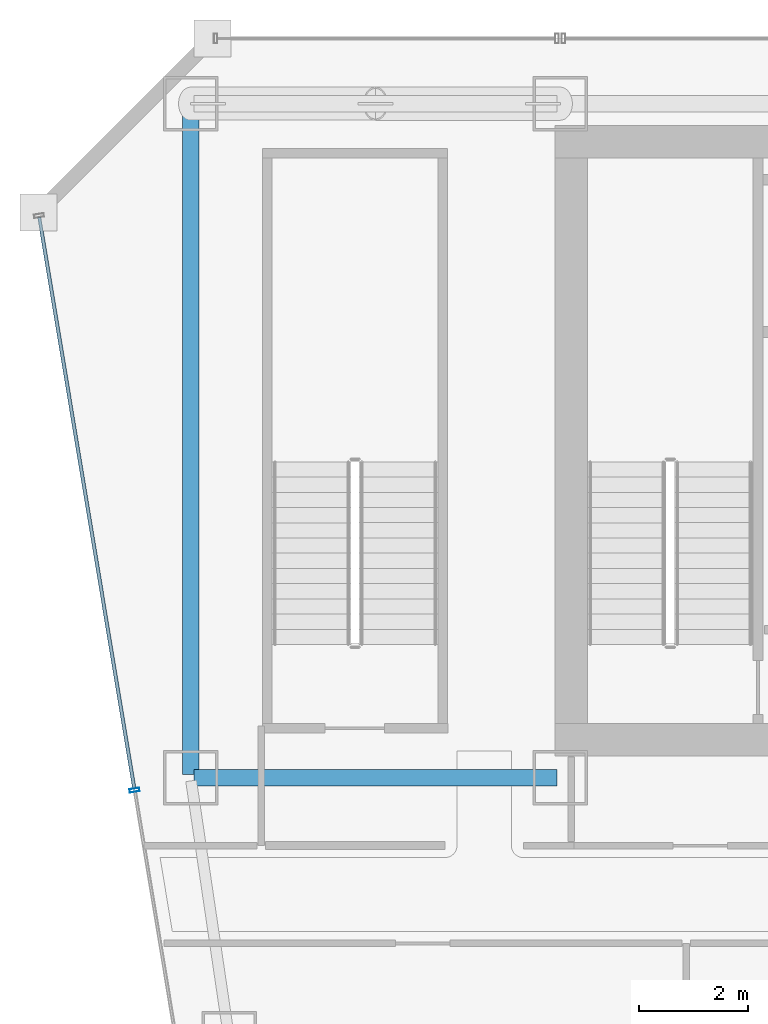
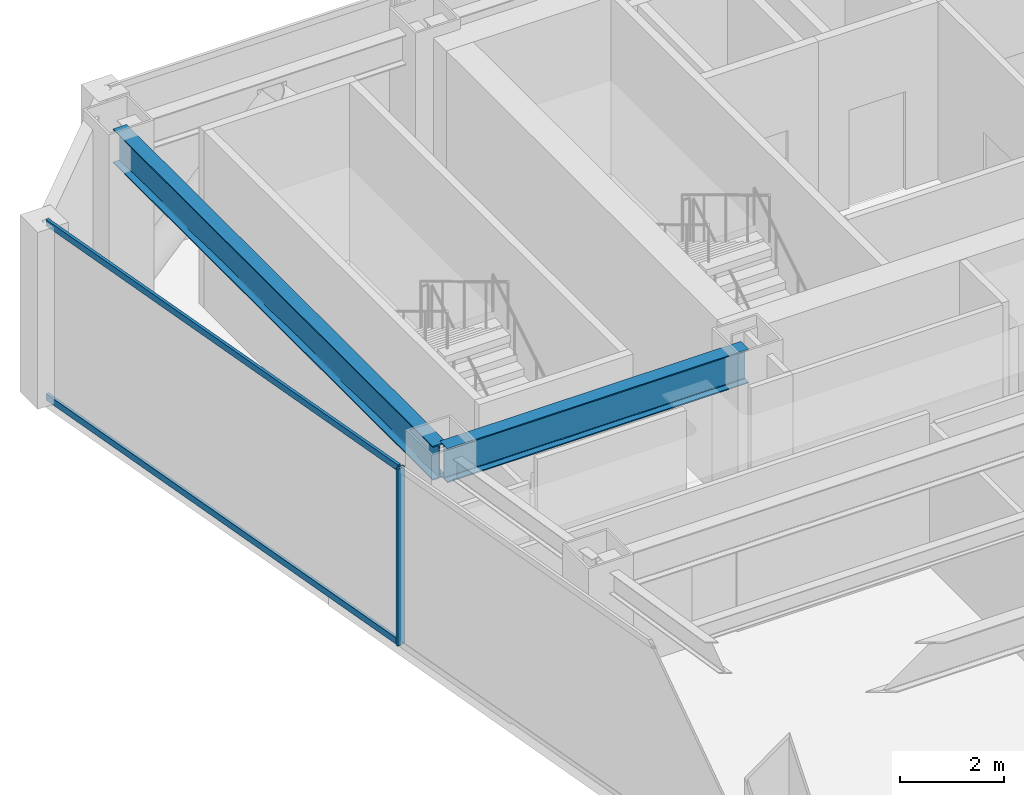
# One storey, part 15 of 35: 3 members, 2 beams, 1 element without a shape of its own.
"""IFC4 building model written with IfcOpenShell, lengths in metres."""

from ifc_helpers import new_model, si_unit, direction, frame, origin, origin_2d, place, context, subcontext, project, spatial, hollow_rectangle, i_section, extrude, material, material_profile, profile_set, type_object, element, aggregate, save


model = new_model("IFC4")

# Units and contexts
model_context = context("Model", 3, precision=1e-05, world=origin(), true_north=direction((0.0, 1.0)))
body_context = subcontext(model_context, "Body", "Model", "MODEL_VIEW")
ifc_project = project(units=[si_unit("LENGTHUNIT", "METRE"), si_unit("AREAUNIT", "SQUARE_METRE"), si_unit("VOLUMEUNIT", "CUBIC_METRE"), si_unit("PLANEANGLEUNIT", "RADIAN"), si_unit("MASSUNIT", "GRAM", prefix="KILO")], contexts=[model_context])

# Site, building, storey
site_placement = place(None, origin())
site = spatial("IfcSite", under=ifc_project, at=site_placement, CompositionType="ELEMENT")
building_placement = place(site_placement, origin())
building = spatial("IfcBuilding", under=site, at=building_placement, Name="Saevonmaru Cultural Tower", CompositionType="ELEMENT")
storey_placement = place(building_placement, frame((0.0, 0.0, 101.60009765625)))
storey = spatial("IfcBuildingStorey", under=building, at=storey_placement, Name="L21", CompositionType="ELEMENT", Elevation=101.60009765625)

# Beams
ifc_material_1 = material(Name="Steel SM420", Category="steel")
ifc_material_profile_1 = material_profile(ifc_material_1, i_section(OverallWidth=0.300048828125, OverallDepth=0.800048828125, WebThickness=0.013916015625, FlangeThickness=0.02587890625, FilletRadius=0.028076171875, at=origin_2d()), Name="H-800x300x14x26")
ifc_profile_set_1 = profile_set([ifc_material_profile_1], Name="Steel SM420")
beam_type = type_object("IfcBeamType", Name="BM-G-H800", PredefinedType="BEAM", material=ifc_profile_set_1)
beam_1_placement = place(storey_placement, frame((6.860107421875, 42.39990234375, 3.75), z_axis=(1.0, 0.0, 0.0), x_axis=(0.0, 1.0, 0.0)))
element("IfcBeam", 1, at=beam_1_placement, inside=storey, type_object=beam_type, Name="L21 Core South Girder 1", PredefinedType="BEAM", context=body_context, shape_type="SweptSolid", body=[
    extrude(i_section(OverallWidth=0.300048828125, OverallDepth=0.800048828125, WebThickness=0.013916015625, FlangeThickness=0.02587890625, FilletRadius=0.028076171875, at=origin_2d()), origin(), (0.0, 0.0, 1.0), 6.679931640625),
])
beam_2_placement = place(storey_placement, frame((6.800048828125, 54.739990234375, 3.75), z_axis=(0.0, -1.0, 0.0), x_axis=(1.0, 0.0, 0.0)))
element("IfcBeam", 2, at=beam_2_placement, inside=storey, type_object=beam_type, Name="L21 Spine Transverse Girder W", PredefinedType="BEAM", context=body_context, shape_type="SweptSolid", body=[
    extrude(i_section(OverallWidth=0.300048828125, OverallDepth=0.800048828125, WebThickness=0.013916015625, FlangeThickness=0.02587890625, FilletRadius=0.028076171875, at=origin_2d()), origin(), (0.0, 0.0, 1.0), 12.280029296875),
])

# Curtain wall, members
ifc_material_2 = material(Name="Satin Bronze Anodised Aluminium", Category="aluminium")
curtain_wall_type = type_object("IfcCurtainWallType", Name="CW-TYP-A", PredefinedType="NOTDEFINED", material=ifc_material_2)
curtain_wall_placement = place(storey_placement, origin())
curtain_wall = element("IfcCurtainWall", 3, at=curtain_wall_placement, inside=storey, type_object=curtain_wall_type, Name="L21 Unitised Curtain Wall E12", PredefinedType="NOTDEFINED")
ifc_material_profile_2 = material_profile(ifc_material_2, hollow_rectangle(XDim=0.06494140625, YDim=0.179931640625, WallThickness=0.00390625, at=origin_2d()), Name="ALU-MULL-180x65x4")
ifc_profile_set_2 = profile_set([ifc_material_profile_2], Name="Satin Bronze Anodised Aluminium")
member_type_1 = type_object("IfcMemberType", Name="ML-CW-180x65", PredefinedType="MULLION", material=ifc_profile_set_2)
member_1_placement = place(storey_placement, frame((5.76708984375, 42.17041015625, 0.0), z_axis=(0.0, 0.0, 1.0), x_axis=(0.163998702345, -0.986460554523, 0.0)))
member_1 = element("IfcMember", 4, at=member_1_placement, type_object=member_type_1, Name="CW-TW-L21-E12 mullion 2", PredefinedType="MULLION", context=body_context, shape_type="SweptSolid", body=[
    extrude(hollow_rectangle(XDim=0.06494140625, YDim=0.179931640625, WallThickness=0.00390625, at=origin_2d()), origin(), (0.0, 0.0, 1.0), 4.14990234375),
])
ifc_material_profile_3 = material_profile(ifc_material_2, hollow_rectangle(XDim=0.06494140625, YDim=0.14990234375, WallThickness=0.00390625, at=origin_2d()), Name="ALU-TRAN-150x65x4")
ifc_profile_set_3 = profile_set([ifc_material_profile_3], Name="Satin Bronze Anodised Aluminium")
member_type_2 = type_object("IfcMemberType", Name="TR-CW-150x65", PredefinedType="USERDEFINED", material=ifc_profile_set_3)
member_2_placement = place(storey_placement, frame((4.01513671875, 52.708740234375, 0.032470703125), z_axis=(0.163990079074, -0.9864619881, 0.0), x_axis=(0.9864619881, 0.163990079074, 0.0)))
member_2 = element("IfcMember", 5, at=member_2_placement, type_object=member_type_2, Name="CW-TW-L21-E12 transom 1.1", ObjectType="TRANSOM", PredefinedType="USERDEFINED", context=body_context, shape_type="SweptSolid", body=[
    extrude(hollow_rectangle(XDim=0.06494140625, YDim=0.14990234375, WallThickness=0.00390625, at=origin_2d()), origin(), (0.0, 0.0, 1.0), 10.650634765625),
])
member_3_placement = place(storey_placement, frame((4.01513671875, 52.708740234375, 4.117431640625), z_axis=(0.163990079074, -0.9864619881, 0.0), x_axis=(0.9864619881, 0.163990079074, 0.0)))
member_3 = element("IfcMember", 6, at=member_3_placement, type_object=member_type_2, Name="CW-TW-L21-E12 transom 1.2", ObjectType="TRANSOM", PredefinedType="USERDEFINED", context=body_context, shape_type="SweptSolid", body=[
    extrude(hollow_rectangle(XDim=0.06494140625, YDim=0.14990234375, WallThickness=0.00390625, at=origin_2d()), origin(), (0.0, 0.0, 1.0), 10.650634765625),
])
aggregate(curtain_wall, [member_1, member_2, member_3])

save(model, "model.ifc")
